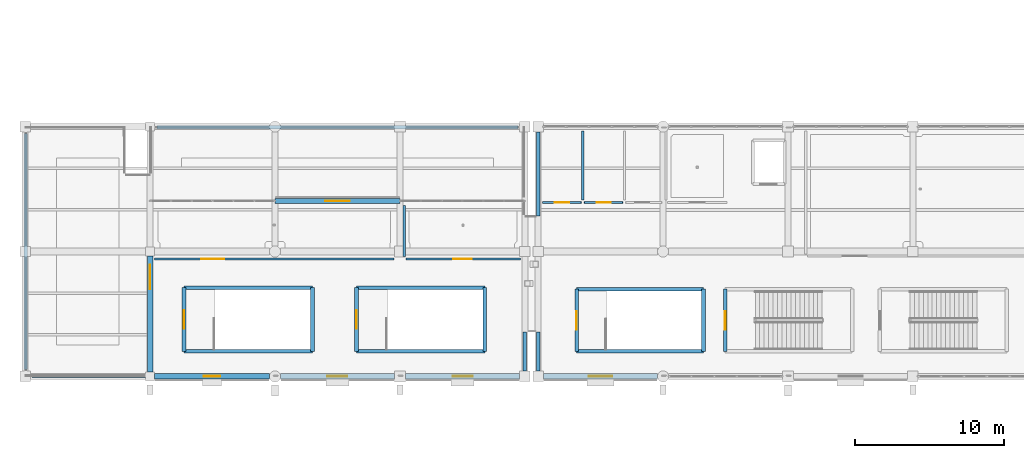
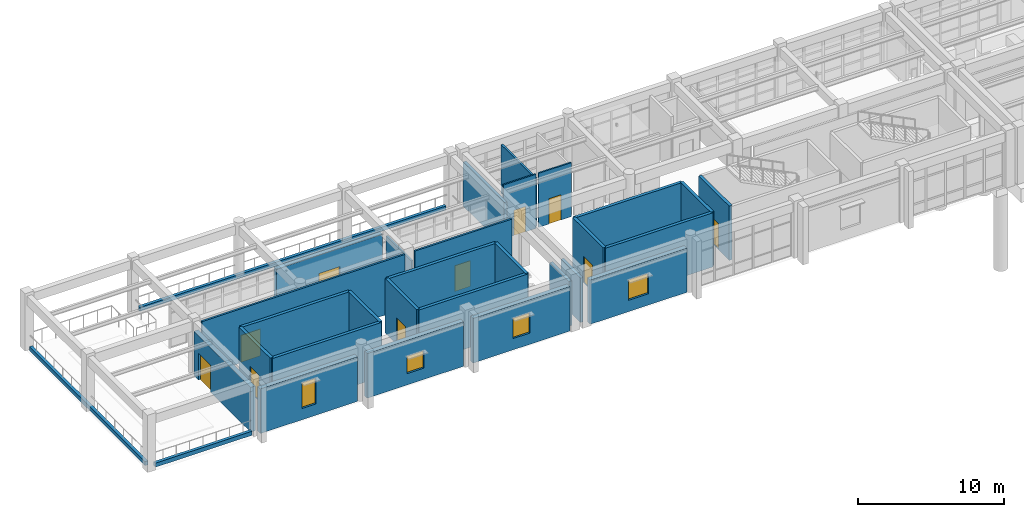
# One storey, part 83 of 111: 31 walls, 10 doors, 4 windows, 14 openings.
"""IFC4 building model written with IfcOpenShell, lengths in metres."""

import ifcopenshell
import ifcopenshell.guid

model = None  # the IFC model being written
_history = None  # IfcOwnerHistory: only IFC2X3 demands one
_inside = {}  # id of a spatial element -> (the spatial element, [elements in it])
_under = {}  # id of a project, library or spatial element -> (it, [spatial elements below it])
_declared = {}  # id of a project -> (the project, [libraries it declares])
_typed = {}  # id of a type object -> (the type object, [elements of that type])
_made_of = {}  # id of a material, layer set ... -> (it, [elements and type objects made of it])


def new_model(schema):
    """Start an empty IFC model of exactly this schema.

    Asked for "IFC4X3", IfcOpenShell would pick the latest addendum, in which some entities
    have other attributes; the version numbers below select the first issue.
    IFC2X3 requires an IfcOwnerHistory on every rooted entity: one is made here for all.
    """
    global model, _history
    if schema == "IFC4X3":
        model = ifcopenshell.file(schema_version=(4, 3, 0, 0))
    else:
        model = ifcopenshell.file(schema=schema)
    _inside.clear()
    _under.clear()
    _declared.clear()
    _typed.clear()
    _made_of.clear()
    _history = None
    if model.schema == "IFC2X3":
        org = make("IfcOrganization", Name="unknown")
        user = make(
            "IfcPersonAndOrganization",
            ThePerson=make("IfcPerson", FamilyName="unknown"),
            TheOrganization=org,
        )
        app = make(
            "IfcApplication",
            ApplicationDeveloper=org,
            Version="unknown",
            ApplicationFullName="unknown",
            ApplicationIdentifier="unknown",
        )
        _history = make(
            "IfcOwnerHistory",
            OwningUser=user,
            OwningApplication=app,
            ChangeAction="ADDED",
            CreationDate=0,
        )
    return model


def make(cls, **values):
    """One entity of the class cls with the attributes given. An attribute that is None is left unset."""
    return model.create_entity(
        cls, **{name: value for name, value in values.items() if value is not None}
    )


def rooted(cls, **values):
    """An entity with a GlobalId (a new one), such as an element, a storey or a relation."""
    return make(cls, GlobalId=ifcopenshell.guid.new(), OwnerHistory=_history, **values)


def si_unit(unit_type, name, prefix=None):
    """IfcSIUnit, for example si_unit("LENGTHUNIT", "METRE", prefix="MILLI")."""
    return make("IfcSIUnit", UnitType=unit_type, Prefix=prefix, Name=name)


def assignment(units):
    """IfcUnitAssignment: the units of a project."""
    return None if units is None else make("IfcUnitAssignment", Units=units)


def point(xyz):
    """IfcCartesianPoint."""
    return None if xyz is None else make("IfcCartesianPoint", Coordinates=xyz)


def direction(xyz):
    """IfcDirection."""
    return None if xyz is None else make("IfcDirection", DirectionRatios=xyz)


def frame(location, z_axis=None, x_axis=None):
    """IfcAxis2Placement3D, a coordinate frame: its origin and axes. An axis left out is left unset."""
    return make(
        "IfcAxis2Placement3D",
        Location=point(location),
        Axis=direction(z_axis),
        RefDirection=direction(x_axis),
    )


def frame_2d(location, x_axis=None):
    """IfcAxis2Placement2D, a coordinate frame in the plane: its origin and x axis."""
    return make(
        "IfcAxis2Placement2D", Location=point(location), RefDirection=direction(x_axis)
    )


def origin():
    """The frame at (0, 0, 0) with its axes left unset."""
    return frame((0.0, 0.0, 0.0))


def place(relative_to, where):
    """IfcLocalPlacement: puts the frame where relative to a parent placement (None: the world)."""
    return make(
        "IfcLocalPlacement", PlacementRelTo=relative_to, RelativePlacement=where
    )


def context(
    kind, dimensions, precision=None, world=None, true_north=None, identifier=None
):
    """IfcGeometricRepresentationContext, for example the 3D "Model" context."""
    return make(
        "IfcGeometricRepresentationContext",
        ContextIdentifier=identifier,
        ContextType=kind,
        CoordinateSpaceDimension=dimensions,
        Precision=precision,
        WorldCoordinateSystem=world,
        TrueNorth=true_north,
    )


def subcontext(parent, identifier, kind, view, scale=None):
    """IfcGeometricRepresentationSubContext, for example "Body" below "Model"."""
    return make(
        "IfcGeometricRepresentationSubContext",
        ContextIdentifier=identifier,
        ContextType=kind,
        ParentContext=parent,
        TargetScale=scale,
        TargetView=view,
    )


def project(units=None, contexts=None):
    """IfcProject with its units and contexts."""
    return rooted(
        "IfcProject",
        Name="project",
        RepresentationContexts=contexts,
        UnitsInContext=assignment(units),
    )


def spatial(cls, under=None, at=None, **own):
    """A site, building, storey or space (cls), placed at a placement, below another one or the project."""
    s = rooted(cls, ObjectPlacement=at, **own)
    if under is not None:
        _under.setdefault(under.id(), (under, []))[1].append(s)
    return s


def profile(cls, at=None, kind="AREA", **sizes):
    """A parametric profile (cls). Its sizes go by their IFC names, for example OverallWidth=200.0."""
    return make(cls, ProfileType=kind, Position=at, **sizes)


def rectangle(**sizes):
    """IfcRectangleProfileDef."""
    return profile("IfcRectangleProfileDef", **sizes)


def extrude(swept, where, along, depth):
    """IfcExtrudedAreaSolid: the profile swept, set in the frame where, extruded along a direction by depth."""
    return make(
        "IfcExtrudedAreaSolid",
        SweptArea=swept,
        Position=where,
        ExtrudedDirection=direction(along),
        Depth=depth,
    )


def shape(context_of_items, identifier, shape_type, items):
    """IfcShapeRepresentation: the items that make up one representation, for example the "Body"."""
    return make(
        "IfcShapeRepresentation",
        ContextOfItems=context_of_items,
        RepresentationIdentifier=identifier,
        RepresentationType=shape_type,
        Items=items,
    )


def material(Name=None, Category=None):
    """IfcMaterial."""
    return make("IfcMaterial", Name=Name, Category=Category)


def layer(
    of_material, thickness, ventilated=None, Name=None, Category=None, Priority=None
):
    """IfcMaterialLayer: one layer of a wall or slab, of a material (None: an air gap)."""
    return make(
        "IfcMaterialLayer",
        Material=of_material,
        LayerThickness=thickness,
        IsVentilated=ventilated,
        Name=Name,
        Category=Category,
        Priority=Priority,
    )


def layer_set(layers, Name=None):
    """IfcMaterialLayerSet."""
    return make("IfcMaterialLayerSet", MaterialLayers=layers, LayerSetName=Name)


def made_of(thing, what):
    """Note that an element or type object is made of a material, layer set ...; save() writes the relation."""
    if what is not None:
        _made_of.setdefault(what.id(), (what, []))[1].append(thing)
    return thing


def type_object(cls, material=None, **own):
    """A type object (cls), such as IfcWallType, which elements share."""
    return made_of(rooted(cls, **own), material)


def element(
    cls,
    number,
    at=None,
    inside=None,
    cuts=None,
    type_object=None,
    material=None,
    context=None,
    identifier="Body",
    shape_type=None,
    held_by="IfcProductDefinitionShape",
    body=None,
    shapes=None,
    **own,
):
    """One element of the class cls, such as IfcWall. Its Tag is "e" and its number.

    at: its placement. inside: the storey or other place that contains it. cuts: it is an
    opening in that element (IfcRelVoidsElement). A single representation is given by context,
    identifier, shape_type and body (its items); several are given by shapes. held_by: the class
    of the entity that holds the representations. save() writes the other relations.
    """
    e = rooted(cls, Tag="e%d" % number, ObjectPlacement=at, **own)
    if body is not None:
        shapes = [shape(context, identifier, shape_type, body)]
    if shapes is not None:
        e.Representation = make(held_by, Representations=shapes)
    if inside is not None:
        _inside.setdefault(inside.id(), (inside, []))[1].append(e)
    if cuts is not None:
        rooted(
            "IfcRelVoidsElement", RelatingBuildingElement=cuts, RelatedOpeningElement=e
        )
    if type_object is not None:
        _typed.setdefault(type_object.id(), (type_object, []))[1].append(e)
    return made_of(e, material)


def fill(opening, filler):
    """IfcRelFillsElement: the door or window that sits in an opening."""
    return rooted(
        "IfcRelFillsElement",
        RelatingOpeningElement=opening,
        RelatedBuildingElement=filler,
    )


def aggregate(whole, parts):
    """IfcRelAggregates: a whole, such as a stair, and the parts it consists of."""
    return rooted("IfcRelAggregates", RelatingObject=whole, RelatedObjects=parts)


def save(model, path):
    """Write the relations noted so far, then the file.

    IfcRelAggregates (storeys below a building ...), IfcRelContainedInSpatialStructure (elements
    in a storey), IfcRelDefinesByType, IfcRelAssociatesMaterial and IfcRelDeclares: one each for
    every whole, place, type object, material and project.
    """
    for whole, parts in _under.values():
        aggregate(whole, parts)
    for where, things in _inside.values():
        rooted(
            "IfcRelContainedInSpatialStructure",
            RelatedElements=things,
            RelatingStructure=where,
        )
    for kind, things in _typed.values():
        rooted("IfcRelDefinesByType", RelatedObjects=things, RelatingType=kind)
    for what, things in _made_of.values():
        rooted("IfcRelAssociatesMaterial", RelatedObjects=things, RelatingMaterial=what)
    for by, libraries in _declared.values():
        rooted("IfcRelDeclares", RelatingContext=by, RelatedDefinitions=libraries)
    model.write(path)


model = new_model("IFC4")

# Units and contexts
model_context = context("Model", 3, precision=1e-05, world=origin(), true_north=direction((0.0, 1.0)))
body_context = subcontext(model_context, "Body", "Model", "MODEL_VIEW")
ifc_project = project(units=[si_unit("LENGTHUNIT", "METRE"), si_unit("AREAUNIT", "SQUARE_METRE"), si_unit("VOLUMEUNIT", "CUBIC_METRE"), si_unit("PLANEANGLEUNIT", "RADIAN"), si_unit("MASSUNIT", "GRAM", prefix="KILO")], contexts=[model_context])

# Site, building, storey
site_placement = place(None, origin())
site = spatial("IfcSite", under=ifc_project, at=site_placement, CompositionType="ELEMENT")
building_placement = place(site_placement, origin())
building = spatial("IfcBuilding", under=site, at=building_placement, Name="Canglan Escarpment Cableway Terminal", CompositionType="ELEMENT")
storey_placement = place(building_placement, frame((0.0, 0.0, 4.800048828125)))
storey = spatial("IfcBuildingStorey", under=building, at=storey_placement, Name="L01", CompositionType="ELEMENT", Elevation=4.800048828125)

# Walls
ifc_material_1 = material(Name="Concrete C40", Category="concrete")
ifc_layer_1 = layer(ifc_material_1, 0.239990234375, Name="Concrete C40")
ifc_layer_set_1 = layer_set([ifc_layer_1], Name="Concrete C40")
wall_type_1 = type_object("IfcWallType", Name="WL-CORE-SHEAR-240", PredefinedType="SHEAR", material=ifc_layer_set_1)
wall_1_placement = place(storey_placement, frame((18.679931640625, 9.679931640625, 0.0), z_axis=(0.0, 0.0, 1.0), x_axis=(1.0, 0.0, 0.0)))
element("IfcWall", 1, at=wall_1_placement, inside=storey, type_object=wall_type_1, Name="Protected stair core wall ST-01 (L01)", PredefinedType="SHEAR", context=body_context, shape_type="SweptSolid", body=[
    extrude(rectangle(XDim=8.64013671875, YDim=0.239990234375, at=frame_2d((4.320068359375, 0.0))), origin(), (0.0, 0.0, 1.0), 4.550048828125),
])
wall_2_placement = place(storey_placement, frame((27.320068359375, 9.679931640625, 0.0), z_axis=(0.0, 0.0, 1.0), x_axis=(0.0, 1.0, 0.0)))
element("IfcWall", 2, at=wall_2_placement, inside=storey, type_object=wall_type_1, Name="Protected stair core wall ST-01 (L01)", PredefinedType="SHEAR", context=body_context, shape_type="SweptSolid", body=[
    extrude(rectangle(XDim=4.2900390625, YDim=0.239990234375, at=frame_2d((2.14501953125, 0.0))), origin(), (0.0, 0.0, 1.0), 4.550048828125),
])
wall_3_placement = place(storey_placement, frame((27.320068359375, 13.969970703125, 0.0), z_axis=(0.0, 0.0, 1.0), x_axis=(-1.0, 0.0, 0.0)))
element("IfcWall", 3, at=wall_3_placement, inside=storey, type_object=wall_type_1, Name="Protected stair core wall ST-01 (L01)", PredefinedType="SHEAR", context=body_context, shape_type="SweptSolid", body=[
    extrude(rectangle(XDim=8.64013671875, YDim=0.239990234375, at=frame_2d((4.320068359375, 0.0))), origin(), (0.0, 0.0, 1.0), 4.550048828125),
])

# Wall, opening, door
wall_4_placement = place(storey_placement, frame((18.679931640625, 13.969970703125, 0.0), z_axis=(0.0, 0.0, 1.0), x_axis=(0.0, -1.0, 0.0)))
wall_4 = element("IfcWall", 4, at=wall_4_placement, inside=storey, type_object=wall_type_1, Name="Protected stair core wall ST-01 (L01)", PredefinedType="SHEAR", context=body_context, shape_type="SweptSolid", body=[
    extrude(rectangle(XDim=4.2900390625, YDim=0.239990234375, at=frame_2d((2.14501953125, 0.0))), origin(), (0.0, 0.0, 1.0), 4.550048828125),
])
opening_1_placement = place(wall_4_placement, frame((1.52001953125, 0.0, 0.0)))
opening_1 = element("IfcOpeningElement", 5, at=opening_1_placement, cuts=wall_4, Name="Opening SD-D1", PredefinedType="OPENING", context=body_context, shape_type="SweptSolid", body=[
    extrude(rectangle(XDim=1.25, YDim=2.199951171875, at=frame_2d((0.625, 1.10009765625))), frame((0.0, 0.1298828125, 0.0), z_axis=(0.0, -1.0, 0.0), x_axis=(1.0, 0.0, 0.0)), (0.0, 0.0, 1.0), 0.260009765625),
])
ifc_material_2 = material(Name="Steel fire-resisting stair door", Category="steel")
door_type_1 = type_object("IfcDoorType", Name="DR-STAIR-EI90-1250", OperationType="NOTDEFINED", PredefinedType="DOOR", material=ifc_material_2)
door_1_placement = place(opening_1_placement, origin())
door_1 = element("IfcDoor", 6, at=door_1_placement, inside=storey, type_object=door_type_1, Name="Protected exit stair fire door ST-01 (L01)", OperationType="SINGLE_SWING_LEFT", OverallHeight=2.199951171875, OverallWidth=1.25, PredefinedType="DOOR", context=body_context, shape_type="SweptSolid", body=[
    extrude(rectangle(XDim=1.25, YDim=2.199951171875, at=frame_2d((0.625, 1.10009765625))), frame((0.0, 0.02490234375, 0.0), z_axis=(0.0, -1.0, 0.0), x_axis=(1.0, 0.0, 0.0)), (0.0, 0.0, 1.0), 0.050048828125),
])
fill(opening_1, door_1)

# Walls
wall_5_placement = place(storey_placement, frame((30.280029296875, 9.679931640625, 0.0), z_axis=(0.0, 0.0, 1.0), x_axis=(1.0, 0.0, 0.0)))
element("IfcWall", 7, at=wall_5_placement, inside=storey, type_object=wall_type_1, Name="Protected stair core wall ST-02 (L01)", PredefinedType="SHEAR", context=body_context, shape_type="SweptSolid", body=[
    extrude(rectangle(XDim=8.639892578125, YDim=0.239990234375, at=frame_2d((4.31982421875, 0.0))), origin(), (0.0, 0.0, 1.0), 4.550048828125),
])
wall_6_placement = place(storey_placement, frame((38.919921875, 9.679931640625, 0.0), z_axis=(0.0, 0.0, 1.0), x_axis=(0.0, 1.0, 0.0)))
element("IfcWall", 8, at=wall_6_placement, inside=storey, type_object=wall_type_1, Name="Protected stair core wall ST-02 (L01)", PredefinedType="SHEAR", context=body_context, shape_type="SweptSolid", body=[
    extrude(rectangle(XDim=4.2900390625, YDim=0.239990234375, at=frame_2d((2.14501953125, 0.0))), origin(), (0.0, 0.0, 1.0), 4.550048828125),
])
wall_7_placement = place(storey_placement, frame((38.919921875, 13.969970703125, 0.0), z_axis=(0.0, 0.0, 1.0), x_axis=(-1.0, 0.0, 0.0)))
element("IfcWall", 9, at=wall_7_placement, inside=storey, type_object=wall_type_1, Name="Protected stair core wall ST-02 (L01)", PredefinedType="SHEAR", context=body_context, shape_type="SweptSolid", body=[
    extrude(rectangle(XDim=8.639892578125, YDim=0.239990234375, at=frame_2d((4.31982421875, 0.0))), origin(), (0.0, 0.0, 1.0), 4.550048828125),
])

# Wall, opening, door
wall_8_placement = place(storey_placement, frame((30.280029296875, 13.969970703125, 0.0), z_axis=(0.0, 0.0, 1.0), x_axis=(0.0, -1.0, 0.0)))
wall_8 = element("IfcWall", 10, at=wall_8_placement, inside=storey, type_object=wall_type_1, Name="Protected stair core wall ST-02 (L01)", PredefinedType="SHEAR", context=body_context, shape_type="SweptSolid", body=[
    extrude(rectangle(XDim=4.2900390625, YDim=0.239990234375, at=frame_2d((2.14501953125, 0.0))), origin(), (0.0, 0.0, 1.0), 4.550048828125),
])
opening_2_placement = place(wall_8_placement, frame((1.52001953125, 0.0, 0.0)))
opening_2 = element("IfcOpeningElement", 11, at=opening_2_placement, cuts=wall_8, Name="Opening SD-D1", PredefinedType="OPENING", context=body_context, shape_type="SweptSolid", body=[
    extrude(rectangle(XDim=1.25, YDim=2.199951171875, at=frame_2d((0.625, 1.10009765625))), frame((0.0, 0.1298828125, 0.0), z_axis=(0.0, -1.0, 0.0), x_axis=(1.0, 0.0, 0.0)), (0.0, 0.0, 1.0), 0.260009765625),
])
door_2_placement = place(opening_2_placement, origin())
door_2 = element("IfcDoor", 12, at=door_2_placement, inside=storey, type_object=door_type_1, Name="Protected exit stair fire door ST-02 (L01)", OperationType="SINGLE_SWING_LEFT", OverallHeight=2.199951171875, OverallWidth=1.25, PredefinedType="DOOR", context=body_context, shape_type="SweptSolid", body=[
    extrude(rectangle(XDim=1.25, YDim=2.199951171875, at=frame_2d((0.625, 1.10009765625))), frame((0.0, 0.02490234375, 0.0), z_axis=(0.0, -1.0, 0.0), x_axis=(1.0, 0.0, 0.0)), (0.0, 0.0, 1.0), 0.050048828125),
])
fill(opening_2, door_2)

# Walls
wall_9_placement = place(storey_placement, frame((45.080078125, 9.679931640625, 0.0), z_axis=(0.0, 0.0, 1.0), x_axis=(1.0, 0.0, 0.0)))
element("IfcWall", 13, at=wall_9_placement, inside=storey, type_object=wall_type_1, Name="Protected stair core wall ST-03 (L01)", PredefinedType="SHEAR", context=body_context, shape_type="SweptSolid", body=[
    extrude(rectangle(XDim=8.5400390625, YDim=0.239990234375, at=frame_2d((4.27001953125, 0.0))), origin(), (0.0, 0.0, 1.0), 4.550048828125),
])
wall_10_placement = place(storey_placement, frame((53.6201171875, 9.679931640625, 0.0), z_axis=(0.0, 0.0, 1.0), x_axis=(0.0, 1.0, 0.0)))
element("IfcWall", 14, at=wall_10_placement, inside=storey, type_object=wall_type_1, Name="Protected stair core wall ST-03 (L01)", PredefinedType="SHEAR", context=body_context, shape_type="SweptSolid", body=[
    extrude(rectangle(XDim=4.190185546875, YDim=0.239990234375, at=frame_2d((2.09521484375, 0.0))), origin(), (0.0, 0.0, 1.0), 4.550048828125),
])
wall_11_placement = place(storey_placement, frame((53.6201171875, 13.8701171875, 0.0), z_axis=(0.0, 0.0, 1.0), x_axis=(-1.0, 0.0, 0.0)))
element("IfcWall", 15, at=wall_11_placement, inside=storey, type_object=wall_type_1, Name="Protected stair core wall ST-03 (L01)", PredefinedType="SHEAR", context=body_context, shape_type="SweptSolid", body=[
    extrude(rectangle(XDim=8.5400390625, YDim=0.239990234375, at=frame_2d((4.27001953125, 0.0))), origin(), (0.0, 0.0, 1.0), 4.550048828125),
])

# Wall, opening, door
wall_12_placement = place(storey_placement, frame((45.080078125, 13.8701171875, 0.0), z_axis=(0.0, 0.0, 1.0), x_axis=(0.0, -1.0, 0.0)))
wall_12 = element("IfcWall", 16, at=wall_12_placement, inside=storey, type_object=wall_type_1, Name="Protected stair core wall ST-03 (L01)", PredefinedType="SHEAR", context=body_context, shape_type="SweptSolid", body=[
    extrude(rectangle(XDim=4.190185546875, YDim=0.239990234375, at=frame_2d((2.09521484375, 0.0))), origin(), (0.0, 0.0, 1.0), 4.550048828125),
])
opening_3_placement = place(wall_12_placement, frame((1.469970703125, 0.0, 0.0)))
opening_3 = element("IfcOpeningElement", 17, at=opening_3_placement, cuts=wall_12, Name="Opening SD-D1", PredefinedType="OPENING", context=body_context, shape_type="SweptSolid", body=[
    extrude(rectangle(XDim=1.25, YDim=2.199951171875, at=frame_2d((0.625, 1.10009765625))), frame((0.0, 0.1298828125, 0.0), z_axis=(0.0, -1.0, 0.0), x_axis=(1.0, 0.0, 0.0)), (0.0, 0.0, 1.0), 0.260009765625),
])
door_3_placement = place(opening_3_placement, origin())
door_3 = element("IfcDoor", 18, at=door_3_placement, inside=storey, type_object=door_type_1, Name="Protected exit stair fire door ST-03 (L01)", OperationType="SINGLE_SWING_LEFT", OverallHeight=2.199951171875, OverallWidth=1.25, PredefinedType="DOOR", context=body_context, shape_type="SweptSolid", body=[
    extrude(rectangle(XDim=1.25, YDim=2.199951171875, at=frame_2d((0.625, 1.10009765625))), frame((0.0, 0.02490234375, 0.0), z_axis=(0.0, -1.0, 0.0), x_axis=(1.0, 0.0, 0.0)), (0.0, 0.0, 1.0), 0.050048828125),
])
fill(opening_3, door_3)

wall_13_placement = place(storey_placement, frame((55.080078125, 13.8701171875, 0.0), z_axis=(0.0, 0.0, 1.0), x_axis=(0.0, -1.0, 0.0)))
wall_13 = element("IfcWall", 19, at=wall_13_placement, inside=storey, type_object=wall_type_1, Name="Protected stair core wall ST-04 (L01)", PredefinedType="SHEAR", context=body_context, shape_type="SweptSolid", body=[
    extrude(rectangle(XDim=4.190185546875, YDim=0.239990234375, at=frame_2d((2.09521484375, 0.0))), origin(), (0.0, 0.0, 1.0), 4.550048828125),
])
opening_4_placement = place(wall_13_placement, frame((1.469970703125, 0.0, 0.0)))
opening_4 = element("IfcOpeningElement", 20, at=opening_4_placement, cuts=wall_13, Name="Opening SD-D1", PredefinedType="OPENING", context=body_context, shape_type="SweptSolid", body=[
    extrude(rectangle(XDim=1.25, YDim=2.199951171875, at=frame_2d((0.625, 1.10009765625))), frame((0.0, 0.1298828125, 0.0), z_axis=(0.0, -1.0, 0.0), x_axis=(1.0, 0.0, 0.0)), (0.0, 0.0, 1.0), 0.260009765625),
])
door_4_placement = place(opening_4_placement, origin())
door_4 = element("IfcDoor", 21, at=door_4_placement, inside=storey, type_object=door_type_1, Name="Protected exit stair fire door ST-04 (L01)", OperationType="SINGLE_SWING_LEFT", OverallHeight=2.199951171875, OverallWidth=1.25, PredefinedType="DOOR", context=body_context, shape_type="SweptSolid", body=[
    extrude(rectangle(XDim=1.25, YDim=2.199951171875, at=frame_2d((0.625, 1.10009765625))), frame((0.0, 0.02490234375, 0.0), z_axis=(0.0, -1.0, 0.0), x_axis=(1.0, 0.0, 0.0)), (0.0, 0.0, 1.0), 0.050048828125),
])
fill(opening_4, door_4)

# Walls
ifc_material_3 = material(Name="Insulated stone-faced spandrel wall", Category="masonry")
ifc_layer_2 = layer(ifc_material_3, 0.22998046875, Name="Insulated stone-faced spandrel wall")
ifc_layer_set_2 = layer_set([ifc_layer_2], Name="Insulated stone-faced spandrel wall")
wall_type_2 = type_object("IfcWallType", Name="WL-EXT-LINK-230", PredefinedType="STANDARD", material=ifc_layer_set_2)
wall_14_placement = place(storey_placement, frame((41.60009765625, 8.35009765625, 0.0), z_axis=(0.0, 0.0, 1.0), x_axis=(0.0, 1.0, 0.0)))
element("IfcWall", 22, at=wall_14_placement, inside=storey, type_object=wall_type_2, Name="Classical stone-faced exterior wall EW-FB1-L01-E-01-FL1", PredefinedType="STANDARD", context=body_context, shape_type="SweptSolid", body=[
    extrude(rectangle(XDim=2.64990234375, YDim=0.22998046875, at=frame_2d((1.324951171875, 0.0))), origin(), (0.0, 0.0, 1.0), 3.744873046875),
])
wall_15_placement = place(storey_placement, frame((42.5, 8.35009765625, 0.0), z_axis=(0.0, 0.0, 1.0), x_axis=(0.0, 1.0, 0.0)))
element("IfcWall", 23, at=wall_15_placement, inside=storey, type_object=wall_type_2, Name="Classical stone-faced exterior wall EW-FB2-L01-W-01-FL1", PredefinedType="STANDARD", context=body_context, shape_type="SweptSolid", body=[
    extrude(rectangle(XDim=2.64990234375, YDim=0.22998046875, at=frame_2d((1.324951171875, 0.0))), origin(), (0.0, 0.0, 1.0), 3.71484375),
])
wall_16_placement = place(storey_placement, frame((42.5, 18.800048828125, 0.0), z_axis=(0.0, 0.0, 1.0), x_axis=(0.0, 1.0, 0.0)))
element("IfcWall", 24, at=wall_16_placement, inside=storey, type_object=wall_type_2, Name="Classical stone-faced exterior wall EW-FB2-L01-W-02-FL2", PredefinedType="STANDARD", context=body_context, shape_type="SweptSolid", body=[
    extrude(rectangle(XDim=5.64990234375, YDim=0.22998046875, at=frame_2d((2.824951171875, 0.0))), origin(), (0.0, 0.0, 1.0), 3.71484375),
])

# Wall, opening, window
ifc_material_4 = material(Name="Rusticated limestone masonry on Concrete C40", Category="masonry")
ifc_layer_3 = layer(ifc_material_4, 0.360107421875, Name="Rusticated limestone masonry on Concrete C40")
ifc_layer_set_3 = layer_set([ifc_layer_3], Name="Rusticated limestone masonry on Concrete C40")
wall_type_3 = type_object("IfcWallType", Name="WL-EXT-RUST-360", PredefinedType="STANDARD", material=ifc_layer_set_3)
wall_17_placement = place(storey_placement, frame((16.699951171875, 8.0, 0.0), z_axis=(0.0, 0.0, 1.0), x_axis=(1.0, 0.0, 0.0)))
wall_17 = element("IfcWall", 25, at=wall_17_placement, inside=storey, type_object=wall_type_3, Name="Classical stone-faced exterior wall EW-FB1-L01-S-01", PredefinedType="STANDARD", context=body_context, shape_type="SweptSolid", body=[
    extrude(rectangle(XDim=7.72509765625, YDim=0.360107421875, at=frame_2d((3.862548828125, 0.0))), origin(), (0.0, 0.0, 1.0), 3.744873046875),
])
opening_5_placement = place(wall_17_placement, frame((3.3125, 0.0, 0.949951171875)))
opening_5 = element("IfcOpeningElement", 26, at=opening_5_placement, cuts=wall_17, Name="Opening W-04", PredefinedType="OPENING", context=body_context, shape_type="SweptSolid", body=[
    extrude(rectangle(XDim=1.10009765625, YDim=2.14990234375, at=frame_2d((0.550048828125, 1.074951171875))), frame((0.0, 0.18994140625, 0.0), z_axis=(0.0, -1.0, 0.0), x_axis=(1.0, 0.0, 0.0)), (0.0, 0.0, 1.0), 0.380126953125),
])
ifc_material_5 = material(Name="Anodized bronze aluminium and Low-E double glazing", Category="aluminium")
window_type_1 = type_object("IfcWindowType", Name="WIN-EXT-04", PartitioningType="SINGLE_PANEL", PredefinedType="WINDOW", material=ifc_material_5)
window_1_placement = place(opening_5_placement, origin())
window_1 = element("IfcWindow", 27, at=window_1_placement, inside=storey, type_object=window_type_1, Name="Classical module window W-04", OverallHeight=2.14990234375, OverallWidth=1.10009765625, PartitioningType="SINGLE_PANEL", PredefinedType="WINDOW", context=body_context, shape_type="SweptSolid", body=[
    extrude(rectangle(XDim=1.10009765625, YDim=2.14990234375, at=frame_2d((0.550048828125, 1.074951171875))), frame((0.0, 0.030029296875, 0.0), z_axis=(0.0, -1.0, 0.0), x_axis=(1.0, 0.0, 0.0)), (0.0, 0.0, 1.0), 0.06005859375),
])
fill(opening_5, window_1)

wall_18_placement = place(storey_placement, frame((25.175048828125, 8.0, 0.0), z_axis=(0.0, 0.0, 1.0), x_axis=(1.0, 0.0, 0.0)))
wall_18 = element("IfcWall", 28, at=wall_18_placement, inside=storey, type_object=wall_type_3, Name="Classical stone-faced exterior wall EW-FB1-L01-S-02", PredefinedType="STANDARD", context=body_context, shape_type="SweptSolid", body=[
    extrude(rectangle(XDim=7.64990234375, YDim=0.360107421875, at=frame_2d((3.824951171875, 0.0))), origin(), (0.0, 0.0, 1.0), 3.744873046875),
])
opening_6_placement = place(wall_18_placement, frame((3.14990234375, 0.0, 0.949951171875)))
opening_6 = element("IfcOpeningElement", 29, at=opening_6_placement, cuts=wall_18, Name="Opening W-05", PredefinedType="OPENING", context=body_context, shape_type="SweptSolid", body=[
    extrude(rectangle(XDim=1.35009765625, YDim=1.449951171875, at=frame_2d((0.675048828125, 0.72509765625))), frame((0.0, 0.18994140625, 0.0), z_axis=(0.0, -1.0, 0.0), x_axis=(1.0, 0.0, 0.0)), (0.0, 0.0, 1.0), 0.380126953125),
])
window_type_2 = type_object("IfcWindowType", Name="WIN-EXT-05", PartitioningType="SINGLE_PANEL", PredefinedType="WINDOW", material=ifc_material_5)
window_2_placement = place(opening_6_placement, origin())
window_2 = element("IfcWindow", 30, at=window_2_placement, inside=storey, type_object=window_type_2, Name="Classical module window W-05", OverallHeight=1.449951171875, OverallWidth=1.35009765625, PartitioningType="SINGLE_PANEL", PredefinedType="WINDOW", context=body_context, shape_type="SweptSolid", body=[
    extrude(rectangle(XDim=1.35009765625, YDim=1.449951171875, at=frame_2d((0.675048828125, 0.72509765625))), frame((0.0, 0.030029296875, 0.0), z_axis=(0.0, -1.0, 0.0), x_axis=(1.0, 0.0, 0.0)), (0.0, 0.0, 1.0), 0.06005859375),
])
fill(opening_6, window_2)

wall_19_placement = place(storey_placement, frame((33.574951171875, 8.0, 0.0), z_axis=(0.0, 0.0, 1.0), x_axis=(1.0, 0.0, 0.0)))
wall_19 = element("IfcWall", 31, at=wall_19_placement, inside=storey, type_object=wall_type_3, Name="Classical stone-faced exterior wall EW-FB1-L01-S-03", PredefinedType="STANDARD", context=body_context, shape_type="SweptSolid", body=[
    extrude(rectangle(XDim=7.675048828125, YDim=0.360107421875, at=frame_2d((3.83740234375, 0.0))), origin(), (0.0, 0.0, 1.0), 3.744873046875),
])
opening_7_placement = place(wall_19_placement, frame((3.16259765625, 0.0, 0.949951171875)))
opening_7 = element("IfcOpeningElement", 32, at=opening_7_placement, cuts=wall_19, Name="Opening W-06", PredefinedType="OPENING", context=body_context, shape_type="SweptSolid", body=[
    extrude(rectangle(XDim=1.35009765625, YDim=1.699951171875, at=frame_2d((0.675048828125, 0.85009765625))), frame((0.0, 0.18994140625, 0.0), z_axis=(0.0, -1.0, 0.0), x_axis=(1.0, 0.0, 0.0)), (0.0, 0.0, 1.0), 0.380126953125),
])
window_type_3 = type_object("IfcWindowType", Name="WIN-EXT-06", PartitioningType="SINGLE_PANEL", PredefinedType="WINDOW", material=ifc_material_5)
window_3_placement = place(opening_7_placement, origin())
window_3 = element("IfcWindow", 33, at=window_3_placement, inside=storey, type_object=window_type_3, Name="Classical module window W-06", OverallHeight=1.699951171875, OverallWidth=1.35009765625, PartitioningType="SINGLE_PANEL", PredefinedType="WINDOW", context=body_context, shape_type="SweptSolid", body=[
    extrude(rectangle(XDim=1.35009765625, YDim=1.699951171875, at=frame_2d((0.675048828125, 0.85009765625))), frame((0.0, 0.030029296875, 0.0), z_axis=(0.0, -1.0, 0.0), x_axis=(1.0, 0.0, 0.0)), (0.0, 0.0, 1.0), 0.06005859375),
])
fill(opening_7, window_3)

# Wall, opening, door
wall_20_placement = place(storey_placement, frame((33.199951171875, 19.800048828125, 0.0), z_axis=(0.0, 0.0, 1.0), x_axis=(-1.0, 0.0, 0.0)))
wall_20 = element("IfcWall", 34, at=wall_20_placement, inside=storey, type_object=wall_type_3, Name="Classical stone-faced exterior wall EW-FB1-L01-N-02", PredefinedType="STANDARD", context=body_context, shape_type="SweptSolid", body=[
    extrude(rectangle(XDim=8.39990234375, YDim=0.360107421875, at=frame_2d((4.199951171875, 0.0))), origin(), (0.0, 0.0, 1.0), 3.784912109375),
])
opening_8_placement = place(wall_20_placement, frame((3.375, 0.0, 0.0)))
opening_8 = element("IfcOpeningElement", 35, at=opening_8_placement, cuts=wall_20, Name="Opening ED-03", PredefinedType="OPENING", context=body_context, shape_type="SweptSolid", body=[
    extrude(rectangle(XDim=1.64990234375, YDim=2.25, at=frame_2d((0.824951171875, 1.125))), frame((0.0, 0.18994140625, 0.0), z_axis=(0.0, -1.0, 0.0), x_axis=(1.0, 0.0, 0.0)), (0.0, 0.0, 1.0), 0.380126953125),
])
ifc_material_6 = material(Name="Anodized bronze aluminium and tempered safety glass", Category="aluminium")
door_type_2 = type_object("IfcDoorType", Name="DR-EXT-TERR-1650", OperationType="NOTDEFINED", PredefinedType="DOOR", material=ifc_material_6)
door_5_placement = place(opening_8_placement, origin())
door_5 = element("IfcDoor", 36, at=door_5_placement, inside=storey, type_object=door_type_2, Name="Terrace access glazed door ED-03", OperationType="DOUBLE_DOOR_SINGLE_SWING", OverallHeight=2.25, OverallWidth=1.64990234375, PredefinedType="DOOR", context=body_context, shape_type="SweptSolid", body=[
    extrude(rectangle(XDim=1.64990234375, YDim=2.25, at=frame_2d((0.824951171875, 1.125))), frame((0.0, 0.02490234375, 0.0), z_axis=(0.0, -1.0, 0.0), x_axis=(1.0, 0.0, 0.0)), (0.0, 0.0, 1.0), 0.050048828125),
])
fill(opening_8, door_5)

wall_21_placement = place(storey_placement, frame((16.39990234375, 16.10009765625, 0.0), z_axis=(0.0, 0.0, 1.0), x_axis=(0.0, -1.0, 0.0)))
wall_21 = element("IfcWall", 37, at=wall_21_placement, inside=storey, type_object=wall_type_3, Name="Classical stone-faced exterior wall EW-FB1-L01-W-01", PredefinedType="STANDARD", context=body_context, shape_type="SweptSolid", body=[
    extrude(rectangle(XDim=7.800048828125, YDim=0.360107421875, at=frame_2d((3.89990234375, 0.0))), origin(), (0.0, 0.0, 1.0), 3.744873046875),
])
opening_9_placement = place(wall_21_placement, frame((0.60009765625, 0.0, 0.0)))
opening_9 = element("IfcOpeningElement", 38, at=opening_9_placement, cuts=wall_21, Name="Opening ED-03", PredefinedType="OPENING", context=body_context, shape_type="SweptSolid", body=[
    extrude(rectangle(XDim=1.64990234375, YDim=2.25, at=frame_2d((0.824951171875, 1.125))), frame((0.0, 0.18994140625, 0.0), z_axis=(0.0, -1.0, 0.0), x_axis=(1.0, 0.0, 0.0)), (0.0, 0.0, 1.0), 0.380126953125),
])
door_6_placement = place(opening_9_placement, origin())
door_6 = element("IfcDoor", 39, at=door_6_placement, inside=storey, type_object=door_type_2, Name="Terrace access glazed door ED-03", OperationType="DOUBLE_DOOR_SINGLE_SWING", OverallHeight=2.25, OverallWidth=1.64990234375, PredefinedType="DOOR", context=body_context, shape_type="SweptSolid", body=[
    extrude(rectangle(XDim=1.64990234375, YDim=2.25, at=frame_2d((0.824951171875, 1.125))), frame((0.0, 0.02490234375, 0.0), z_axis=(0.0, -1.0, 0.0), x_axis=(1.0, 0.0, 0.0)), (0.0, 0.0, 1.0), 0.050048828125),
])
fill(opening_9, door_6)

# Wall, opening, window
wall_22_placement = place(storey_placement, frame((42.85009765625, 8.0, 0.0), z_axis=(0.0, 0.0, 1.0), x_axis=(1.0, 0.0, 0.0)))
wall_22 = element("IfcWall", 40, at=wall_22_placement, inside=storey, type_object=wall_type_3, Name="Classical stone-faced exterior wall EW-FB2-L01-S-01", PredefinedType="STANDARD", context=body_context, shape_type="SweptSolid", body=[
    extrude(rectangle(XDim=7.6748046875, YDim=0.360107421875, at=frame_2d((3.83740234375, 0.0))), origin(), (0.0, 0.0, 1.0), 3.71484375),
])
opening_10_placement = place(wall_22_placement, frame((3.03759765625, 0.0, 0.949951171875)))
opening_10 = element("IfcOpeningElement", 41, at=opening_10_placement, cuts=wall_22, Name="Opening W-10", PredefinedType="OPENING", context=body_context, shape_type="SweptSolid", body=[
    extrude(rectangle(XDim=1.60009765625, YDim=1.699951171875, at=frame_2d((0.800048828125, 0.85009765625))), frame((0.0, 0.18994140625, 0.0), z_axis=(0.0, -1.0, 0.0), x_axis=(1.0, 0.0, 0.0)), (0.0, 0.0, 1.0), 0.380126953125),
])
window_type_4 = type_object("IfcWindowType", Name="WIN-EXT-10", PartitioningType="SINGLE_PANEL", PredefinedType="WINDOW", material=ifc_material_5)
window_4_placement = place(opening_10_placement, origin())
window_4 = element("IfcWindow", 42, at=window_4_placement, inside=storey, type_object=window_type_4, Name="Classical module window W-10", OverallHeight=1.699951171875, OverallWidth=1.60009765625, PartitioningType="SINGLE_PANEL", PredefinedType="WINDOW", context=body_context, shape_type="SweptSolid", body=[
    extrude(rectangle(XDim=1.60009765625, YDim=1.699951171875, at=frame_2d((0.800048828125, 0.85009765625))), frame((0.0, 0.030029296875, 0.0), z_axis=(0.0, -1.0, 0.0), x_axis=(1.0, 0.0, 0.0)), (0.0, 0.0, 1.0), 0.06005859375),
])
fill(opening_10, window_4)

# Wall, opening, door
ifc_material_7 = material(Name="Moisture-resistant tile-faced partition", Category="gypsum")
ifc_layer_4 = layer(ifc_material_7, 0.1201171875, Name="Moisture-resistant tile-faced partition")
ifc_layer_set_4 = layer_set([ifc_layer_4], Name="Moisture-resistant tile-faced partition")
wall_type_4 = type_object("IfcWallType", Name="WL-INT-PART-120", PredefinedType="PARTITIONING", material=ifc_layer_set_4)
wall_23_placement = place(storey_placement, frame((42.800048828125, 19.699951171875, 0.0), z_axis=(0.0, 0.0, 1.0), x_axis=(1.0, 0.0, 0.0)))
wall_23 = element("IfcWall", 43, at=wall_23_placement, inside=storey, type_object=wall_type_4, Name="Interior partition wall IW-L01-06-MAIN", PredefinedType="PARTITIONING", context=body_context, shape_type="SweptSolid", body=[
    extrude(rectangle(XDim=2.599853515625, YDim=0.1201171875, at=frame_2d((1.2998046875, 0.0))), origin(), (0.0, 0.0, 1.0), 4.534912109375),
])
opening_11_placement = place(wall_23_placement, frame((0.824951171875, 0.0, 0.0)))
opening_11 = element("IfcOpeningElement", 44, at=opening_11_placement, cuts=wall_23, Name="Opening ID-01", PredefinedType="OPENING", context=body_context, shape_type="SweptSolid", body=[
    extrude(rectangle(XDim=0.949951171875, YDim=2.1201171875, at=frame_2d((0.47509765625, 1.06005859375))), frame((0.0, 0.070068359375, 0.0), z_axis=(0.0, -1.0, 0.0), x_axis=(1.0, 0.0, 0.0)), (0.0, 0.0, 1.0), 0.14013671875),
])
ifc_material_8 = material(Name="Stained oak and safety glass door", Category="glass")
door_type_3 = type_object("IfcDoorType", Name="DR-INT-ID-01", OperationType="NOTDEFINED", PredefinedType="DOOR", material=ifc_material_8)
door_7_placement = place(opening_11_placement, origin())
door_7 = element("IfcDoor", 45, at=door_7_placement, inside=storey, type_object=door_type_3, Name="Accessible WC door ID-01", OperationType="SINGLE_SWING_RIGHT", OverallHeight=2.1201171875, OverallWidth=0.949951171875, PredefinedType="DOOR", context=body_context, shape_type="SweptSolid", body=[
    extrude(rectangle(XDim=0.949951171875, YDim=2.1201171875, at=frame_2d((0.47509765625, 1.06005859375))), frame((0.0, 0.02490234375, 0.0), z_axis=(0.0, -1.0, 0.0), x_axis=(1.0, 0.0, 0.0)), (0.0, 0.0, 1.0), 0.050048828125),
])
fill(opening_11, door_7)

wall_24_placement = place(storey_placement, frame((45.60009765625, 19.699951171875, 0.0), z_axis=(0.0, 0.0, 1.0), x_axis=(1.0, 0.0, 0.0)))
wall_24 = element("IfcWall", 46, at=wall_24_placement, inside=storey, type_object=wall_type_4, Name="Interior partition wall IW-L01-07-MAIN", PredefinedType="PARTITIONING", context=body_context, shape_type="SweptSolid", body=[
    extrude(rectangle(XDim=2.599853515625, YDim=0.1201171875, at=frame_2d((1.2998046875, 0.0))), origin(), (0.0, 0.0, 1.0), 4.534912109375),
])
opening_12_placement = place(wall_24_placement, frame((0.824951171875, 0.0, 0.0)))
opening_12 = element("IfcOpeningElement", 47, at=opening_12_placement, cuts=wall_24, Name="Opening ID-01", PredefinedType="OPENING", context=body_context, shape_type="SweptSolid", body=[
    extrude(rectangle(XDim=0.949951171875, YDim=2.1201171875, at=frame_2d((0.47509765625, 1.06005859375))), frame((0.0, 0.070068359375, 0.0), z_axis=(0.0, -1.0, 0.0), x_axis=(1.0, 0.0, 0.0)), (0.0, 0.0, 1.0), 0.14013671875),
])
door_8_placement = place(opening_12_placement, origin())
door_8 = element("IfcDoor", 48, at=door_8_placement, inside=storey, type_object=door_type_3, Name="Male WC door ID-01", OperationType="SINGLE_SWING_LEFT", OverallHeight=2.1201171875, OverallWidth=0.949951171875, PredefinedType="DOOR", context=body_context, shape_type="SweptSolid", body=[
    extrude(rectangle(XDim=0.949951171875, YDim=2.1201171875, at=frame_2d((0.47509765625, 1.06005859375))), frame((0.0, 0.02490234375, 0.0), z_axis=(0.0, -1.0, 0.0), x_axis=(1.0, 0.0, 0.0)), (0.0, 0.0, 1.0), 0.050048828125),
])
fill(opening_12, door_8)

ifc_material_9 = material(Name="Acoustic double-stud gypsum partition", Category="gypsum")
ifc_layer_5 = layer(ifc_material_9, 0.14990234375, Name="Acoustic double-stud gypsum partition")
ifc_layer_set_5 = layer_set([ifc_layer_5], Name="Acoustic double-stud gypsum partition")
wall_type_5 = type_object("IfcWallType", Name="WL-INT-PART-150", PredefinedType="PARTITIONING", material=ifc_layer_set_5)
wall_25_placement = place(storey_placement, frame((16.699951171875, 15.89990234375, 0.0), z_axis=(0.0, 0.0, 1.0), x_axis=(1.0, 0.0, 0.0)))
wall_25 = element("IfcWall", 49, at=wall_25_placement, inside=storey, type_object=wall_type_5, Name="Interior partition wall IW-L01-04-MAIN", PredefinedType="PARTITIONING", context=body_context, shape_type="SweptSolid", body=[
    extrude(rectangle(XDim=16.10009765625, YDim=0.14990234375, at=frame_2d((8.050048828125, 0.0))), origin(), (0.0, 0.0, 1.0), 4.534912109375),
])
opening_13_placement = place(wall_25_placement, frame((3.125, 0.0, 0.0)))
opening_13 = element("IfcOpeningElement", 50, at=opening_13_placement, cuts=wall_25, Name="Opening ID-23", PredefinedType="OPENING", context=body_context, shape_type="SweptSolid", body=[
    extrude(rectangle(XDim=1.550048828125, YDim=2.260009765625, at=frame_2d((0.77490234375, 1.1298828125))), frame((0.0, 0.0849609375, 0.0), z_axis=(0.0, -1.0, 0.0), x_axis=(1.0, 0.0, 0.0)), (0.0, 0.0, 1.0), 0.169921875),
])
door_type_4 = type_object("IfcDoorType", Name="DR-INT-ID-23", OperationType="NOTDEFINED", PredefinedType="DOOR", material=ifc_material_8)
door_9_placement = place(opening_13_placement, origin())
door_9 = element("IfcDoor", 51, at=door_9_placement, inside=storey, type_object=door_type_4, Name="Alpine Geology Exhibition Gallery door ID-23", OperationType="DOUBLE_DOOR_SINGLE_SWING", OverallHeight=2.260009765625, OverallWidth=1.550048828125, PredefinedType="DOOR", context=body_context, shape_type="SweptSolid", body=[
    extrude(rectangle(XDim=1.550048828125, YDim=2.260009765625, at=frame_2d((0.77490234375, 1.1298828125))), frame((0.0, 0.02490234375, 0.0), z_axis=(0.0, -1.0, 0.0), x_axis=(1.0, 0.0, 0.0)), (0.0, 0.0, 1.0), 0.050048828125),
])
fill(opening_13, door_9)

wall_26_placement = place(storey_placement, frame((33.60009765625, 15.89990234375, 0.0), z_axis=(0.0, 0.0, 1.0), x_axis=(1.0, 0.0, 0.0)))
wall_26 = element("IfcWall", 52, at=wall_26_placement, inside=storey, type_object=wall_type_5, Name="Interior partition wall IW-L01-05-MAIN", PredefinedType="PARTITIONING", context=body_context, shape_type="SweptSolid", body=[
    extrude(rectangle(XDim=7.699951171875, YDim=0.14990234375, at=frame_2d((3.85009765625, 0.0))), origin(), (0.0, 0.0, 1.0), 4.534912109375),
])
opening_14_placement = place(wall_26_placement, frame((3.175048828125, 0.0, 0.0)))
opening_14 = element("IfcOpeningElement", 53, at=opening_14_placement, cuts=wall_26, Name="Opening ID-10", PredefinedType="OPENING", context=body_context, shape_type="SweptSolid", body=[
    extrude(rectangle(XDim=1.25, YDim=2.159912109375, at=frame_2d((0.625, 1.080078125))), frame((0.0, 0.0849609375, 0.0), z_axis=(0.0, -1.0, 0.0), x_axis=(1.0, 0.0, 0.0)), (0.0, 0.0, 1.0), 0.169921875),
])
door_type_5 = type_object("IfcDoorType", Name="DR-INT-ID-10", OperationType="NOTDEFINED", PredefinedType="DOOR", material=ifc_material_8)
door_10_placement = place(opening_14_placement, origin())
door_10 = element("IfcDoor", 54, at=door_10_placement, inside=storey, type_object=door_type_5, Name="Karst Landform Diorama Room door ID-10", OperationType="SINGLE_SWING_LEFT", OverallHeight=2.159912109375, OverallWidth=1.25, PredefinedType="DOOR", context=body_context, shape_type="SweptSolid", body=[
    extrude(rectangle(XDim=1.25, YDim=2.159912109375, at=frame_2d((0.625, 1.080078125))), frame((0.0, 0.02490234375, 0.0), z_axis=(0.0, -1.0, 0.0), x_axis=(1.0, 0.0, 0.0)), (0.0, 0.0, 1.0), 0.050048828125),
])
fill(opening_14, door_10)

# Walls
wall_27_placement = place(storey_placement, frame((33.5, 16.050048828125, 0.0), z_axis=(0.0, 0.0, 1.0), x_axis=(0.0, 1.0, 0.0)))
element("IfcWall", 55, at=wall_27_placement, inside=storey, type_object=wall_type_5, Name="Interior partition wall IW-L01-05-SIDE", PredefinedType="PARTITIONING", context=body_context, shape_type="SweptSolid", body=[
    extrude(rectangle(XDim=3.449951171875, YDim=0.14990234375, at=frame_2d((1.72509765625, 0.0))), origin(), (0.0, 0.0, 1.0), 3.64501953125),
])
wall_28_placement = place(storey_placement, frame((45.5, 19.85009765625, 0.0), z_axis=(0.0, 0.0, 1.0), x_axis=(0.0, 1.0, 0.0)))
element("IfcWall", 56, at=wall_28_placement, inside=storey, type_object=wall_type_5, Name="Interior partition wall IW-L01-07-SIDE", PredefinedType="PARTITIONING", context=body_context, shape_type="SweptSolid", body=[
    extrude(rectangle(XDim=4.64990234375, YDim=0.14990234375, at=frame_2d((2.324951171875, 0.0))), origin(), (0.0, 0.0, 1.0), 4.06494140625),
])
ifc_material_10 = material(Name="Rusticated granite parapet wall", Category="masonry")
ifc_layer_6 = layer(ifc_material_10, 0.300048828125, Name="Rusticated granite parapet wall")
ifc_layer_set_6 = layer_set([ifc_layer_6], Name="Rusticated granite parapet wall")
wall_type_6 = type_object("IfcWallType", Name="WL-PAR-STONE-300", PredefinedType="PARAPET", material=ifc_layer_set_6)
wall_29_placement = place(storey_placement, frame((8.050048828125, 8.4501953125, 0.0), z_axis=(0.0, 0.0, 1.0), x_axis=(0.0, 1.0, 0.0)))
element("IfcWall", 57, at=wall_29_placement, inside=storey, type_object=wall_type_6, Name="Classical stone terrace plinth parapet PW-02", PredefinedType="PARAPET", context=body_context, shape_type="SweptSolid", body=[
    extrude(rectangle(XDim=15.897705078125, YDim=0.239990234375, at=frame_2d((7.94873046875, 0.0))), origin(), (0.0, 0.0, 1.0), 0.33984375),
])
wall_30_placement = place(storey_placement, frame((16.85009765625, 24.748046875, 0.0), z_axis=(0.0, 0.0, 1.0), x_axis=(0.999999996769, 8.0382621e-05, 0.0)))
element("IfcWall", 58, at=wall_30_placement, inside=storey, type_object=wall_type_6, Name="Classical stone terrace plinth parapet PW-02", PredefinedType="PARAPET", context=body_context, shape_type="SweptSolid", body=[
    extrude(rectangle(XDim=24.2978515625, YDim=0.239990234375, at=frame_2d((12.14892578125, 0.0))), origin(), (0.0, 0.0, 1.0), 0.33984375),
])
wall_31_placement = place(storey_placement, frame((16.110107421875, 8.050048828125, 0.0), z_axis=(0.0, 0.0, 1.0), x_axis=(-1.0, 0.0, 0.0)))
element("IfcWall", 59, at=wall_31_placement, inside=storey, type_object=wall_type_6, Name="Classical stone terrace plinth parapet PW-02", PredefinedType="PARAPET", context=body_context, shape_type="SweptSolid", body=[
    extrude(rectangle(XDim=7.658203125, YDim=0.239990234375, at=frame_2d((3.8291015625, 0.0))), origin(), (0.0, 0.0, 1.0), 0.33984375),
])

save(model, "model.ifc")
